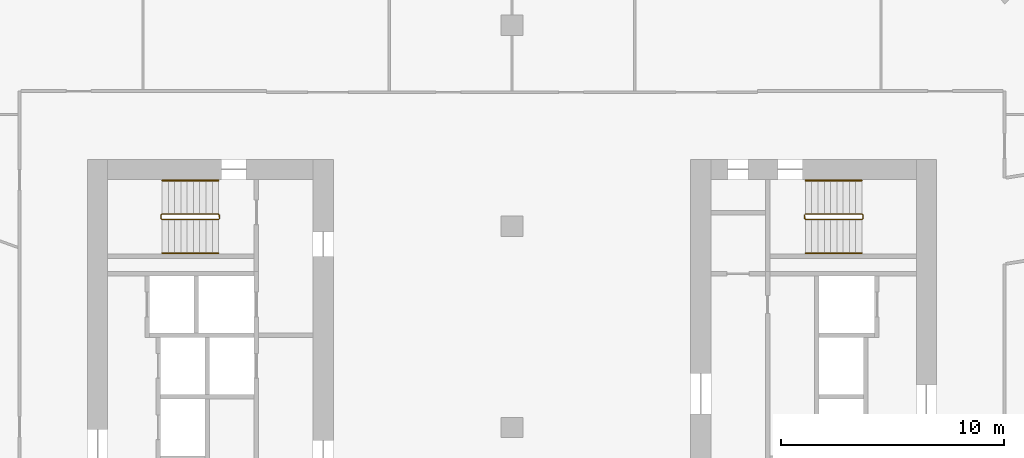
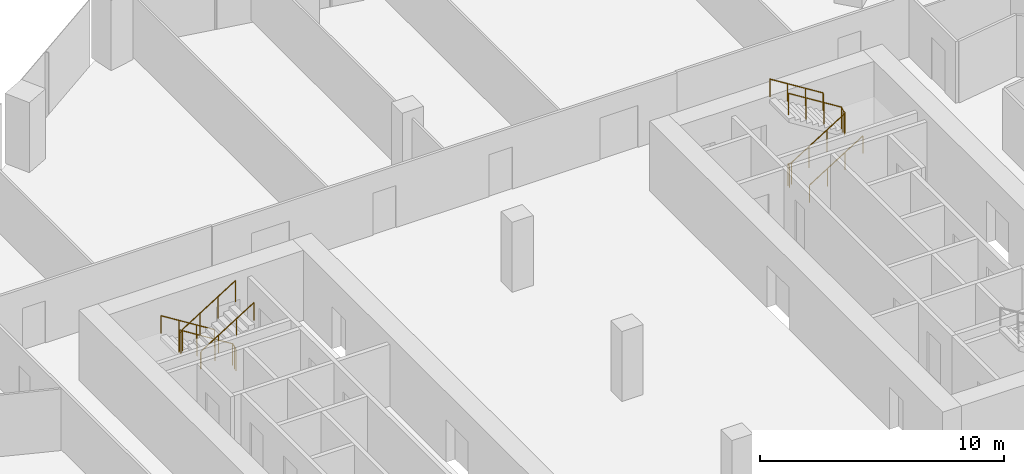
# One storey, part 32 of 32: 6 railings.
"""IFC4 building model written with IfcOpenShell, lengths in metres."""

from ifc_helpers import new_model, si_unit, direction, frame, origin, origin_2d, place, context, subcontext, project, spatial, circle, extrude, material, type_object, element, save


model = new_model("IFC4")

# Units and contexts
model_context = context("Model", 3, precision=1e-05, world=origin(), true_north=direction((0.0, 1.0)))
body_context = subcontext(model_context, "Body", "Model", "MODEL_VIEW")
ifc_project = project(units=[si_unit("LENGTHUNIT", "METRE"), si_unit("AREAUNIT", "SQUARE_METRE"), si_unit("VOLUMEUNIT", "CUBIC_METRE"), si_unit("PLANEANGLEUNIT", "RADIAN"), si_unit("MASSUNIT", "GRAM", prefix="KILO")], contexts=[model_context])

# Site, building, storey
site_placement = place(None, origin())
site = spatial("IfcSite", under=ifc_project, at=site_placement, CompositionType="ELEMENT")
building_placement = place(site_placement, origin())
building = spatial("IfcBuilding", under=site, at=building_placement, Name="Orlundy Tower", CompositionType="ELEMENT")
storey_placement = place(building_placement, frame((0.0, 0.0, 152.60009765625)))
storey = spatial("IfcBuildingStorey", under=building, at=storey_placement, Name="L39", CompositionType="ELEMENT", Elevation=152.60009765625)

# Railings
ifc_material_1 = material(Name="Steel balustrade", Category="steel")
railing_type_1 = type_object("IfcRailingType", Name="Stair Guard 1100", PredefinedType="GUARDRAIL", material=ifc_material_1)
railing_1_placement = place(storey_placement, frame((-13.090087890625, 9.5, 0.0)))
element("IfcRailing", 1, at=railing_1_placement, inside=storey, type_object=railing_type_1, Name="L39 ST-W1 stair guard 1", PredefinedType="GUARDRAIL", context=body_context, shape_type="SweptSolid", body=[
    extrude(circle(Radius=0.02392578125, at=origin_2d()), frame((0.0, 0.0, 1.076171875), z_axis=(0.0, -1.0, 0.0), x_axis=(1.0, 0.0, 0.0)), (0.0, 0.0, 1.0), 0.14990234375),
    extrude(circle(Radius=0.02392578125, at=origin_2d()), frame((0.0, -0.14990234375, 1.076171875), z_axis=(-0.184313129624, 0.739963005698, 0.646902945152), x_axis=(-0.970351222016, -0.241699205484, 0.0)), (0.0, 0.0, 1.0), 0.270263671875),
    extrude(circle(Radius=0.02392578125, at=origin_2d()), frame((-0.0498046875, 0.050048828125, 1.2509765625), z_axis=(-0.847970611238, 0.0, 0.530043245855), x_axis=(0.0, -1.0, 0.0)), (0.0, 0.0, 1.0), 2.971923828125),
    extrude(circle(Radius=0.02392578125, at=origin_2d()), frame((-2.56982421875, 0.050048828125, 2.826171875), z_axis=(-0.707106781187, -0.707106781187, 0.0), x_axis=(0.707106781187, -0.707106781187, 0.0)), (0.0, 0.0, 1.0), 0.07080078125),
    extrude(circle(Radius=0.02392578125, at=origin_2d()), frame((-2.619873046875, 0.0, 2.826171875), z_axis=(0.0, -1.0, 0.0), x_axis=(1.0, 0.0, 0.0)), (0.0, 0.0, 1.0), 0.14990234375),
    extrude(circle(Radius=0.02392578125, at=origin_2d()), frame((-2.619873046875, -0.14990234375, 2.826171875), z_axis=(0.265383341853, -0.265383341853, 0.926899867156), x_axis=(0.707106781187, 0.707106781187, 0.0)), (0.0, 0.0, 1.0), 0.1884765625),
    extrude(circle(Radius=0.02392578125, at=origin_2d()), frame((-2.56982421875, -0.199951171875, 3.0009765625), z_axis=(0.847970611238, 0.0, 0.530043245855), x_axis=(0.0, 1.0, 0.0)), (0.0, 0.0, 1.0), 2.971923828125),
    extrude(circle(Radius=0.02099609375, at=origin_2d()), origin(), (0.0, 0.0, 1.0), 1.052001953125),
    extrude(circle(Radius=0.02099609375, at=origin_2d()), frame((0.0, -0.14990234375, 0.0)), (0.0, 0.0, 1.0), 1.052001953125),
    extrude(circle(Radius=0.02099609375, at=origin_2d()), frame((-0.0498046875, 0.050048828125, 0.1748046875)), (0.0, 0.0, 1.0), 1.052001953125),
    extrude(circle(Radius=0.02099609375, at=origin_2d()), frame((-0.889892578125, 0.050048828125, 0.699951171875)), (0.0, 0.0, 1.0), 1.052001953125),
    extrude(circle(Radius=0.02099609375, at=origin_2d()), frame((-1.729736328125, 0.050048828125, 1.224853515625)), (0.0, 0.0, 1.0), 1.052001953125),
    extrude(circle(Radius=0.02099609375, at=origin_2d()), frame((-2.56982421875, 0.050048828125, 1.75)), (0.0, 0.0, 1.0), 1.052001953125),
    extrude(circle(Radius=0.02099609375, at=origin_2d()), frame((-2.619873046875, 0.0, 1.75)), (0.0, 0.0, 1.0), 1.052001953125),
    extrude(circle(Radius=0.02099609375, at=origin_2d()), frame((-2.619873046875, -0.14990234375, 1.75)), (0.0, 0.0, 1.0), 1.052001953125),
    extrude(circle(Radius=0.02099609375, at=origin_2d()), frame((-2.56982421875, -0.199951171875, 1.9248046875)), (0.0, 0.0, 1.0), 1.052001953125),
    extrude(circle(Radius=0.02099609375, at=origin_2d()), frame((-1.729736328125, -0.199951171875, 2.449951171875)), (0.0, 0.0, 1.0), 1.052001953125),
    extrude(circle(Radius=0.02099609375, at=origin_2d()), frame((-0.889892578125, -0.199951171875, 2.974853515625)), (0.0, 0.0, 1.0), 1.052001953125),
    extrude(circle(Radius=0.02099609375, at=origin_2d()), frame((-0.0498046875, -0.199951171875, 3.5)), (0.0, 0.0, 1.0), 1.052001953125),
])
railing_2_placement = place(storey_placement, frame((13.090087890625, 9.35009765625, 0.0)))
element("IfcRailing", 2, at=railing_2_placement, inside=storey, type_object=railing_type_1, Name="L39 ST-E2 stair guard 1", PredefinedType="GUARDRAIL", context=body_context, shape_type="SweptSolid", body=[
    extrude(circle(Radius=0.02392578125, at=origin_2d()), frame((0.0, 0.0, 1.076171875), z_axis=(0.0, 1.0, 0.0), x_axis=(-1.0, 0.0, 0.0)), (0.0, 0.0, 1.0), 0.14990234375),
    extrude(circle(Radius=0.02392578125, at=origin_2d()), frame((0.0, 0.14990234375, 1.076171875), z_axis=(0.184313129624, -0.739963005698, 0.646902945152), x_axis=(0.970351222016, 0.241699205484, 0.0)), (0.0, 0.0, 1.0), 0.270263671875),
    extrude(circle(Radius=0.02392578125, at=origin_2d()), frame((0.0498046875, -0.050048828125, 1.2509765625), z_axis=(0.847970611238, 0.0, 0.530043245855), x_axis=(0.0, 1.0, 0.0)), (0.0, 0.0, 1.0), 2.971923828125),
    extrude(circle(Radius=0.02392578125, at=origin_2d()), frame((2.56982421875, -0.050048828125, 2.826171875), z_axis=(0.707106781187, 0.707106781187, 0.0), x_axis=(-0.707106781187, 0.707106781187, 0.0)), (0.0, 0.0, 1.0), 0.07080078125),
    extrude(circle(Radius=0.02392578125, at=origin_2d()), frame((2.619873046875, 0.0, 2.826171875), z_axis=(0.0, 1.0, 0.0), x_axis=(-1.0, 0.0, 0.0)), (0.0, 0.0, 1.0), 0.14990234375),
    extrude(circle(Radius=0.02392578125, at=origin_2d()), frame((2.619873046875, 0.14990234375, 2.826171875), z_axis=(-0.265383341853, 0.265383341853, 0.926899867156), x_axis=(-0.707106781187, -0.707106781187, 0.0)), (0.0, 0.0, 1.0), 0.1884765625),
    extrude(circle(Radius=0.02392578125, at=origin_2d()), frame((2.56982421875, 0.199951171875, 3.0009765625), z_axis=(-0.847970611238, 0.0, 0.530043245855), x_axis=(0.0, -1.0, 0.0)), (0.0, 0.0, 1.0), 2.971923828125),
    extrude(circle(Radius=0.02099609375, at=origin_2d()), origin(), (0.0, 0.0, 1.0), 1.052001953125),
    extrude(circle(Radius=0.02099609375, at=origin_2d()), frame((0.0, 0.14990234375, 0.0)), (0.0, 0.0, 1.0), 1.052001953125),
    extrude(circle(Radius=0.02099609375, at=origin_2d()), frame((0.0498046875, -0.050048828125, 0.1748046875)), (0.0, 0.0, 1.0), 1.052001953125),
    extrude(circle(Radius=0.02099609375, at=origin_2d()), frame((0.889892578125, -0.050048828125, 0.699951171875)), (0.0, 0.0, 1.0), 1.052001953125),
    extrude(circle(Radius=0.02099609375, at=origin_2d()), frame((1.729736328125, -0.050048828125, 1.224853515625)), (0.0, 0.0, 1.0), 1.052001953125),
    extrude(circle(Radius=0.02099609375, at=origin_2d()), frame((2.56982421875, -0.050048828125, 1.75)), (0.0, 0.0, 1.0), 1.052001953125),
    extrude(circle(Radius=0.02099609375, at=origin_2d()), frame((2.619873046875, 0.0, 1.75)), (0.0, 0.0, 1.0), 1.052001953125),
    extrude(circle(Radius=0.02099609375, at=origin_2d()), frame((2.619873046875, 0.14990234375, 1.75)), (0.0, 0.0, 1.0), 1.052001953125),
    extrude(circle(Radius=0.02099609375, at=origin_2d()), frame((2.56982421875, 0.199951171875, 1.9248046875)), (0.0, 0.0, 1.0), 1.052001953125),
    extrude(circle(Radius=0.02099609375, at=origin_2d()), frame((1.729736328125, 0.199951171875, 2.449951171875)), (0.0, 0.0, 1.0), 1.052001953125),
    extrude(circle(Radius=0.02099609375, at=origin_2d()), frame((0.889892578125, 0.199951171875, 2.974853515625)), (0.0, 0.0, 1.0), 1.052001953125),
    extrude(circle(Radius=0.02099609375, at=origin_2d()), frame((0.0498046875, 0.199951171875, 3.5)), (0.0, 0.0, 1.0), 1.052001953125),
])
ifc_material_2 = material(Name="Steel handrail", Category="steel")
railing_type_2 = type_object("IfcRailingType", Name="Stair Handrail 900", PredefinedType="HANDRAIL", material=ifc_material_2)
railing_3_placement = place(storey_placement, frame((-13.139892578125, 11.050048828125, 0.1748046875)))
element("IfcRailing", 3, at=railing_3_placement, inside=storey, type_object=railing_type_2, Name="L39 ST-W1 stair handrail 1", PredefinedType="HANDRAIL", context=body_context, shape_type="SweptSolid", body=[
    extrude(circle(Radius=0.02392578125, at=origin_2d()), frame((0.0, 0.0, 0.8759765625), z_axis=(-0.847970611238, 0.0, 0.530043245855), x_axis=(0.0, -1.0, 0.0)), (0.0, 0.0, 1.0), 2.971923828125),
    extrude(circle(Radius=0.02099609375, at=origin_2d()), origin(), (0.0, 0.0, 1.0), 0.851806640625),
    extrude(circle(Radius=0.02099609375, at=origin_2d()), frame((-0.840087890625, 0.0, 0.525146484375)), (0.0, 0.0, 1.0), 0.851806640625),
    extrude(circle(Radius=0.02099609375, at=origin_2d()), frame((-1.679931640625, 0.0, 1.050048828125)), (0.0, 0.0, 1.0), 0.851806640625),
    extrude(circle(Radius=0.02099609375, at=origin_2d()), frame((-2.52001953125, 0.0, 1.5751953125)), (0.0, 0.0, 1.0), 0.851806640625),
])
for number, where, name in (
    (4, (-15.659912109375, 7.800048828125, 1.9248046875), "L39 ST-W1 stair handrail 2"),
    (5, (13.139892578125, 7.800048828125, 0.1748046875), "L39 ST-E2 stair handrail 1"),
):
    element("IfcRailing", number, at=place(storey_placement, frame(where)), inside=storey, type_object=railing_type_2, Name=name, PredefinedType="HANDRAIL", context=body_context, shape_type="SweptSolid", body=[
        extrude(circle(Radius=0.02392578125, at=origin_2d()), frame((0.0, 0.0, 0.8759765625), z_axis=(0.847970611238, 0.0, 0.530043245855), x_axis=(0.0, 1.0, 0.0)), (0.0, 0.0, 1.0), 2.971923828125),
        extrude(circle(Radius=0.02099609375, at=origin_2d()), origin(), (0.0, 0.0, 1.0), 0.851806640625),
        extrude(circle(Radius=0.02099609375, at=origin_2d()), frame((0.840087890625, 0.0, 0.525146484375)), (0.0, 0.0, 1.0), 0.851806640625),
        extrude(circle(Radius=0.02099609375, at=origin_2d()), frame((1.679931640625, 0.0, 1.050048828125)), (0.0, 0.0, 1.0), 0.851806640625),
        extrude(circle(Radius=0.02099609375, at=origin_2d()), frame((2.52001953125, 0.0, 1.5751953125)), (0.0, 0.0, 1.0), 0.851806640625),
    ])
railing_4_placement = place(storey_placement, frame((15.659912109375, 11.050048828125, 1.9248046875)))
element("IfcRailing", 6, at=railing_4_placement, inside=storey, type_object=railing_type_2, Name="L39 ST-E2 stair handrail 2", PredefinedType="HANDRAIL", context=body_context, shape_type="SweptSolid", body=[
    extrude(circle(Radius=0.02392578125, at=origin_2d()), frame((0.0, 0.0, 0.8759765625), z_axis=(-0.847970611238, 0.0, 0.530043245855), x_axis=(0.0, -1.0, 0.0)), (0.0, 0.0, 1.0), 2.971923828125),
    extrude(circle(Radius=0.02099609375, at=origin_2d()), origin(), (0.0, 0.0, 1.0), 0.851806640625),
    extrude(circle(Radius=0.02099609375, at=origin_2d()), frame((-0.840087890625, 0.0, 0.525146484375)), (0.0, 0.0, 1.0), 0.851806640625),
    extrude(circle(Radius=0.02099609375, at=origin_2d()), frame((-1.679931640625, 0.0, 1.050048828125)), (0.0, 0.0, 1.0), 0.851806640625),
    extrude(circle(Radius=0.02099609375, at=origin_2d()), frame((-2.52001953125, 0.0, 1.5751953125)), (0.0, 0.0, 1.0), 0.851806640625),
])

save(model, "model.ifc")
